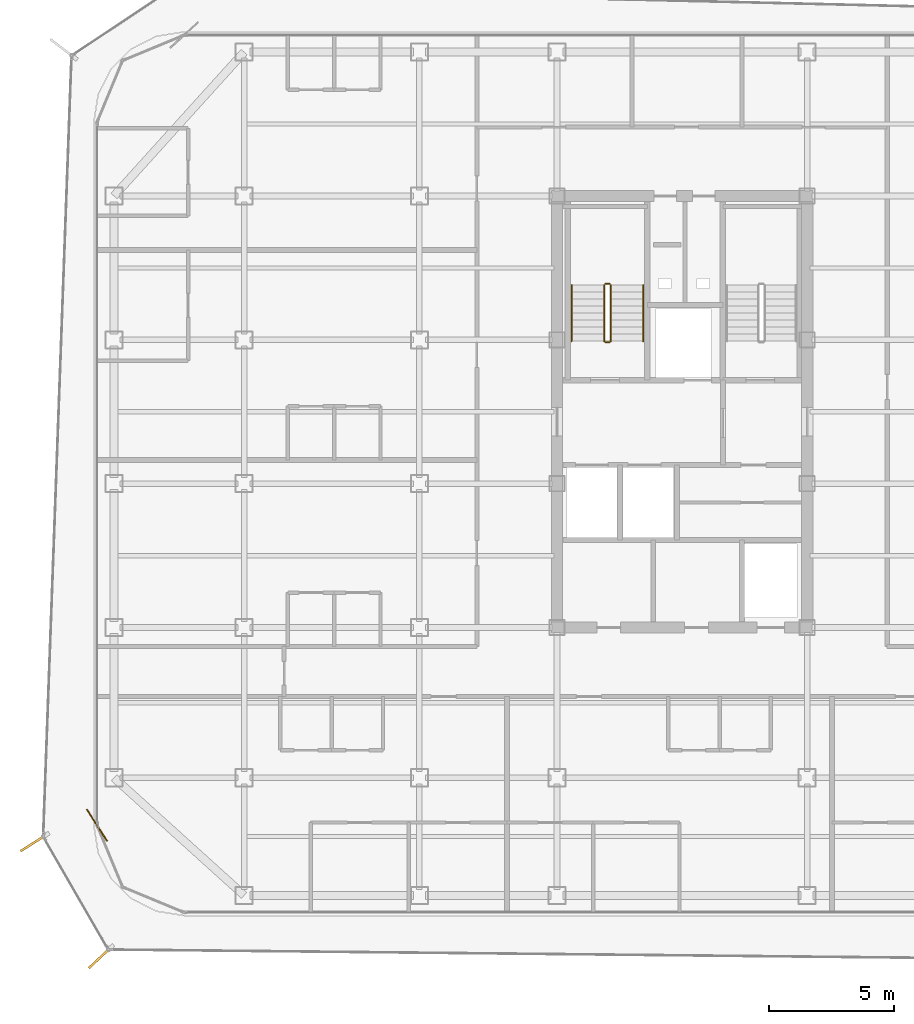
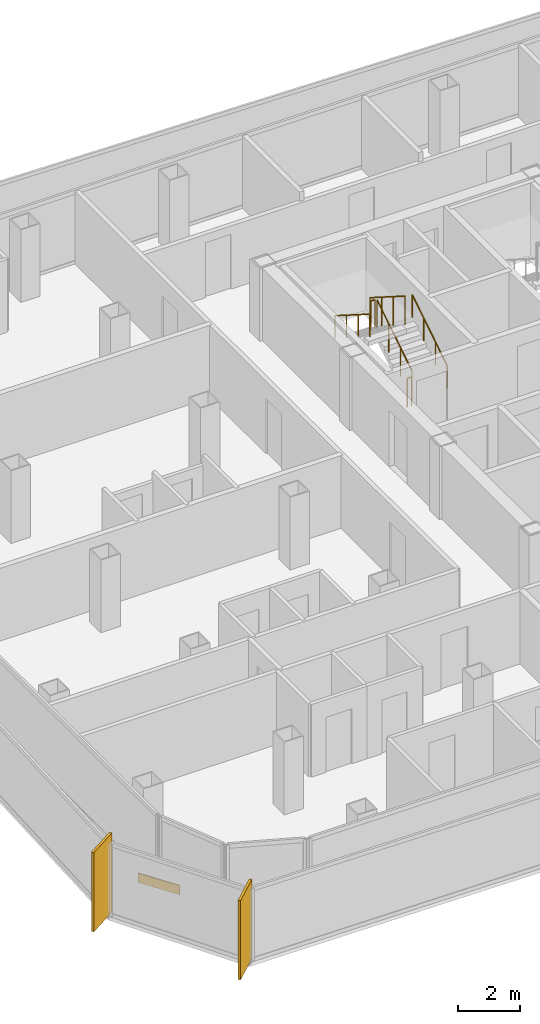
# One storey, part 14 of 16: 6 railings, 2 shading devices, 1 covering.
"""IFC4 building model written with IfcOpenShell, lengths in metres."""

from ifc_helpers import new_model, si_unit, direction, frame, origin, origin_2d, place, context, subcontext, project, spatial, rectangle, circle, extrude, source, transform, mapped, material, layer, layer_set, type_object, element, save


model = new_model("IFC4")

# Units and contexts
model_context = context("Model", 3, precision=1e-05, world=origin(), true_north=direction((0.0, 1.0)))
body_context = subcontext(model_context, "Body", "Model", "MODEL_VIEW")
ifc_project = project(units=[si_unit("LENGTHUNIT", "METRE"), si_unit("AREAUNIT", "SQUARE_METRE"), si_unit("VOLUMEUNIT", "CUBIC_METRE"), si_unit("PLANEANGLEUNIT", "RADIAN"), si_unit("MASSUNIT", "GRAM", prefix="KILO")], contexts=[model_context])

# Site, building, storey
site_placement = place(None, origin())
site = spatial("IfcSite", under=ifc_project, at=site_placement, CompositionType="ELEMENT")
building_placement = place(site_placement, origin())
building = spatial("IfcBuilding", under=site, at=building_placement, Name="Kolveth Station Tower", CompositionType="ELEMENT")
storey_placement = place(building_placement, frame((0.0, 0.0, 212.39990234375)))
storey = spatial("IfcBuildingStorey", under=building, at=storey_placement, Name="L60", CompositionType="ELEMENT", Elevation=212.39990234375)

# Railings
ifc_material_1 = material(Name="Painted Steel S355 balustrade", Category="steel")
railing_type_1 = type_object("IfcRailingType", Name="Guard_GR2", PredefinedType="BALUSTRADE", material=ifc_material_1)
railing_1_placement = place(storey_placement, frame((20.64990234375, 22.949951171875, 0.177978515625)))
element("IfcRailing", 1, at=railing_1_placement, inside=storey, type_object=railing_type_1, Name="L60 ST1 stair guard 1", PredefinedType="BALUSTRADE", context=body_context, shape_type="SweptSolid", body=[
    extrude(circle(Radius=0.02392578125, at=origin_2d()), frame((0.0, 0.0, 1.1259765625), z_axis=(0.0, 0.8442293374, 0.53598211339), x_axis=(-1.0, 0.0, 0.0)), (0.0, 0.0, 1.0), 2.6533203125),
    extrude(circle(Radius=0.02099609375, at=origin_2d()), origin(), (0.0, 0.0, 1.0), 1.101806640625),
    extrude(circle(Radius=0.02099609375, at=origin_2d()), frame((0.0, 0.74658203125, 0.47412109375)), (0.0, 0.0, 1.0), 1.101806640625),
    extrude(circle(Radius=0.02099609375, at=origin_2d()), frame((0.0, 1.493408203125, 0.947998046875)), (0.0, 0.0, 1.0), 1.101806640625),
    extrude(circle(Radius=0.02099609375, at=origin_2d()), frame((0.0, 2.239990234375, 1.422119140625)), (0.0, 0.0, 1.0), 1.101806640625),
])
railing_2_placement = place(storey_placement, frame((20.60009765625, 25.239990234375, 1.60009765625)))
element("IfcRailing", 2, at=railing_2_placement, inside=storey, type_object=railing_type_1, Name="L60 ST1 stair guard 2", PredefinedType="BALUSTRADE", context=body_context, shape_type="SweptSolid", body=[
    extrude(circle(Radius=0.02392578125, at=origin_2d()), frame((0.0, 0.0, 1.1259765625), z_axis=(-1.0, 0.0, 0.0), x_axis=(0.0, -1.0, 0.0)), (0.0, 0.0, 1.0), 0.16015625),
    extrude(circle(Radius=0.02099609375, at=origin_2d()), origin(), (0.0, 0.0, 1.0), 1.101806640625),
    extrude(circle(Radius=0.02099609375, at=origin_2d()), frame((-0.16015625, 0.0, 0.0)), (0.0, 0.0, 1.0), 1.101806640625),
])
railing_3_placement = place(storey_placement, frame((20.389892578125, 25.18994140625, 1.77783203125)))
element("IfcRailing", 3, at=railing_3_placement, inside=storey, type_object=railing_type_1, Name="L60 ST1 stair guard 3", PredefinedType="BALUSTRADE", context=body_context, shape_type="SweptSolid", body=[
    extrude(circle(Radius=0.02392578125, at=origin_2d()), frame((0.0, 0.0, 1.1259765625), z_axis=(0.0, -0.84418770128, 0.536047689118), x_axis=(1.0, 0.0, 0.0)), (0.0, 0.0, 1.0), 2.6533203125),
    extrude(circle(Radius=0.02099609375, at=origin_2d()), origin(), (0.0, 0.0, 1.0), 1.101806640625),
    extrude(circle(Radius=0.02099609375, at=origin_2d()), frame((0.0, -0.74658203125, 0.47412109375)), (0.0, 0.0, 1.0), 1.101806640625),
    extrude(circle(Radius=0.02099609375, at=origin_2d()), frame((0.0, -1.493408203125, 0.9482421875)), (0.0, 0.0, 1.0), 1.101806640625),
    extrude(circle(Radius=0.02099609375, at=origin_2d()), frame((0.0, -2.239990234375, 1.42236328125)), (0.0, 0.0, 1.0), 1.101806640625),
])
railing_4_placement = place(storey_placement, frame((20.60009765625, 22.89990234375, 0.0)))
element("IfcRailing", 4, at=railing_4_placement, inside=storey, type_object=railing_type_1, Name="L60 ST1 stair guard 4", PredefinedType="BALUSTRADE", context=body_context, shape_type="SweptSolid", body=[
    extrude(circle(Radius=0.02392578125, at=origin_2d()), frame((0.0, 0.0, 1.1259765625), z_axis=(-1.0, 0.0, 0.0), x_axis=(0.0, -1.0, 0.0)), (0.0, 0.0, 1.0), 0.16015625),
    extrude(circle(Radius=0.02099609375, at=origin_2d()), origin(), (0.0, 0.0, 1.0), 1.101806640625),
    extrude(circle(Radius=0.02099609375, at=origin_2d()), frame((-0.16015625, 0.0, 0.0)), (0.0, 0.0, 1.0), 1.101806640625),
])
ifc_material_2 = material(Name="Brushed stainless steel", Category="steel")
railing_type_2 = type_object("IfcRailingType", Name="Handrail_HR1", PredefinedType="HANDRAIL", material=ifc_material_2)
railing_5_placement = place(storey_placement, frame((21.949951171875, 22.949951171875, 0.177978515625)))
element("IfcRailing", 5, at=railing_5_placement, inside=storey, type_object=railing_type_2, Name="L60 ST1 stair handrail 1", PredefinedType="HANDRAIL", context=body_context, shape_type="SweptSolid", body=[
    extrude(circle(Radius=0.02392578125, at=origin_2d()), frame((0.0, 0.0, 0.8759765625), z_axis=(0.0, 0.8442293374, 0.53598211339), x_axis=(-1.0, 0.0, 0.0)), (0.0, 0.0, 1.0), 2.6533203125),
    extrude(circle(Radius=0.02099609375, at=origin_2d()), origin(), (0.0, 0.0, 1.0), 0.851806640625),
    extrude(circle(Radius=0.02099609375, at=origin_2d()), frame((0.0, 0.74658203125, 0.47412109375)), (0.0, 0.0, 1.0), 0.851806640625),
    extrude(circle(Radius=0.02099609375, at=origin_2d()), frame((0.0, 1.493408203125, 0.947998046875)), (0.0, 0.0, 1.0), 0.851806640625),
    extrude(circle(Radius=0.02099609375, at=origin_2d()), frame((0.0, 2.239990234375, 1.422119140625)), (0.0, 0.0, 1.0), 0.851806640625),
])
railing_6_placement = place(storey_placement, frame((19.090087890625, 25.18994140625, 1.77783203125)))
element("IfcRailing", 6, at=railing_6_placement, inside=storey, type_object=railing_type_2, Name="L60 ST1 stair handrail 2", PredefinedType="HANDRAIL", context=body_context, shape_type="SweptSolid", body=[
    extrude(circle(Radius=0.02392578125, at=origin_2d()), frame((0.0, 0.0, 0.8759765625), z_axis=(0.0, -0.84418770128, 0.536047689118), x_axis=(1.0, 0.0, 0.0)), (0.0, 0.0, 1.0), 2.6533203125),
    extrude(circle(Radius=0.02099609375, at=origin_2d()), origin(), (0.0, 0.0, 1.0), 0.851806640625),
    extrude(circle(Radius=0.02099609375, at=origin_2d()), frame((0.0, -0.74658203125, 0.47412109375)), (0.0, 0.0, 1.0), 0.851806640625),
    extrude(circle(Radius=0.02099609375, at=origin_2d()), frame((0.0, -1.493408203125, 0.9482421875)), (0.0, 0.0, 1.0), 0.851806640625),
    extrude(circle(Radius=0.02099609375, at=origin_2d()), frame((0.0, -2.239990234375, 1.42236328125)), (0.0, 0.0, 1.0), 0.851806640625),
])

# Shading devices
ifc_material_3 = material(Name="Black anodized aluminium 6063-T6", Category="aluminium")
shading_device_type = type_object("IfcShadingDeviceType", Name="FIN_VF1", PredefinedType="USERDEFINED", material=ifc_material_3)
shared_shape_1 = source(origin(), body_context, "Body", "SweptSolid", [
    extrude(rectangle(XDim=1.25, YDim=0.090087890625, at=origin_2d()), origin(), (0.0, 0.0, 1.0), 3.10009765625),
])
for number, where, z_axis, x_axis, name in (
    (7, (-2.405029296875, 2.902099609375, 0.0), (0.0, 0.0, 1.0), (-0.844981931132, -0.534794854183, 0.0), "L60 Dark-Aluminium Solar Fin 7"),
    (8, (0.25, -1.678955078125, 0.0), (0.0, 0.0, 1.0), (-0.73004301173, -0.683401200631, 0.0), "L60 Dark-Aluminium Solar Fin 8"),
):
    element("IfcShadingDevice", number, at=place(storey_placement, frame(where, z_axis=z_axis, x_axis=x_axis)), inside=storey, type_object=shading_device_type, Name=name, ObjectType="FIN", PredefinedType="USERDEFINED", context=body_context, shape_type="MappedRepresentation", body=[
        mapped(shared_shape_1, transform((0.0, 0.0, 0.0), x_axis=(1.0, 0.0, 0.0), y_axis=(0.0, 1.0, 0.0), z_axis=(0.0, 0.0, 1.0), scale=1.0)),
    ])

# Covering
ifc_material_4 = material(Name="Charcoal anodized aluminium spandrel cladding", Category="aluminium")
ifc_layer = layer(ifc_material_4, 0.044921875)
ifc_layer_set = layer_set([ifc_layer], Name="Charcoal anodized aluminium spandrel cladding")
covering_type = type_object("IfcCoveringType", Name="Clad_CD1", PredefinedType="CLADDING", material=ifc_layer_set)
shared_shape_2 = source(origin(), body_context, "Body", "SweptSolid", [
    extrude(rectangle(XDim=1.5, YDim=0.044921875, at=origin_2d()), origin(), (0.0, 0.0, 1.0), 0.360107421875),
])
covering_placement = place(storey_placement, frame((0.1201171875, 3.60009765625, 0.0), z_axis=(0.0, 0.0, 1.0), x_axis=(0.534794854183, -0.844981931132, 0.0)))
element("IfcCovering", 9, at=covering_placement, inside=storey, type_object=covering_type, Name="L60 Spandrel Edge Cladding 7", PredefinedType="CLADDING", context=body_context, shape_type="MappedRepresentation", body=[
    mapped(shared_shape_2, transform((0.0, 0.0, 0.0), x_axis=(1.0, 0.0, 0.0), y_axis=(0.0, 1.0, 0.0), z_axis=(0.0, 0.0, 1.0), scale=1.0)),
])

save(model, "model.ifc")
